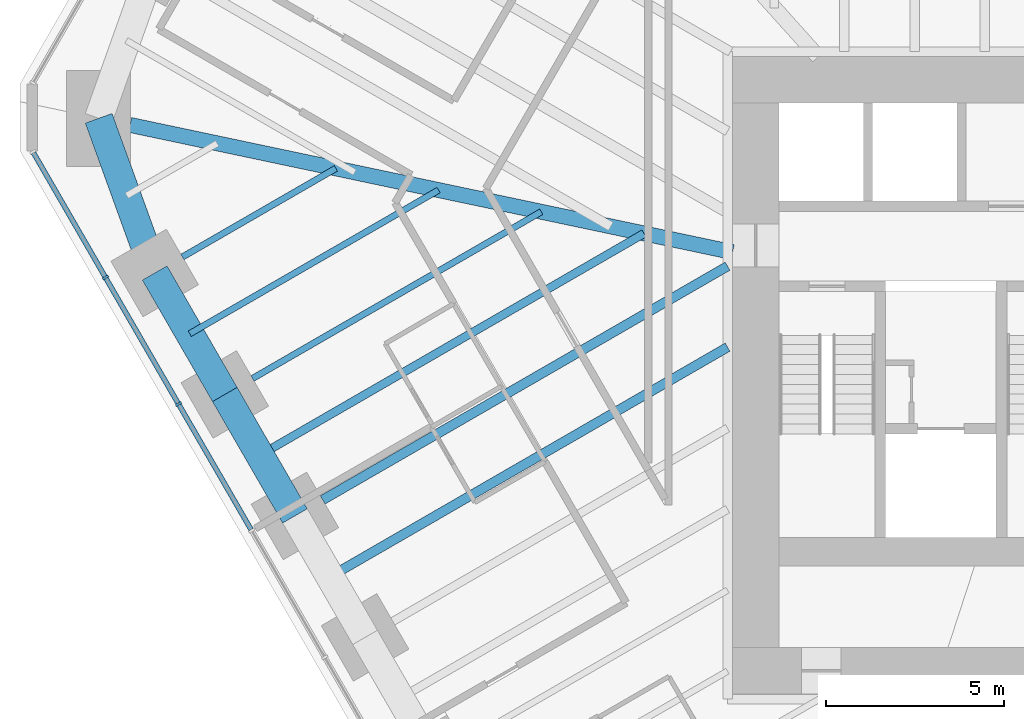
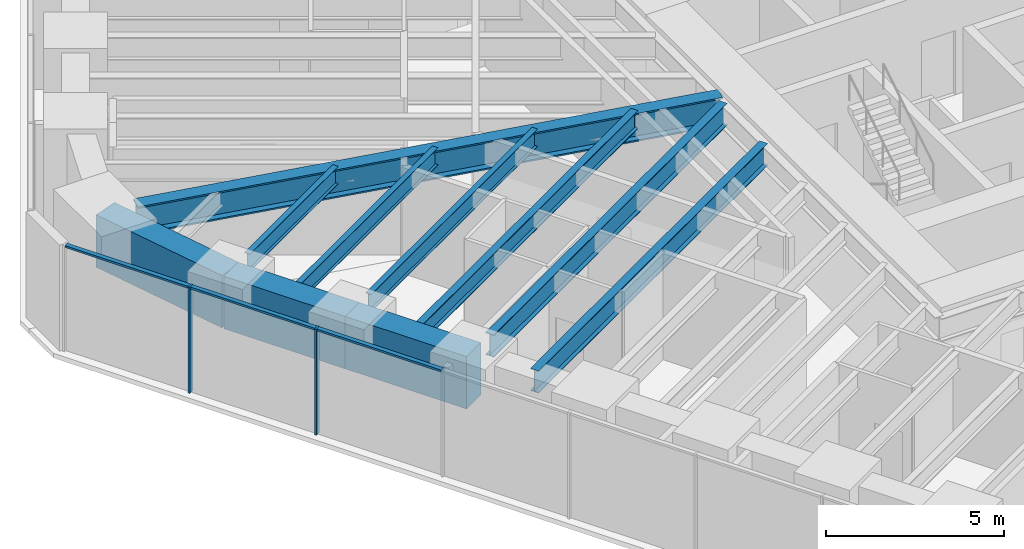
# One storey, part 3 of 17: 10 beams, 5 members, 1 element without a shape of its own.
"""IFC4 building model written with IfcOpenShell, lengths in metres."""

from ifc_helpers import new_model, si_unit, direction, frame, origin, origin_2d, place, context, subcontext, project, spatial, rectangle, i_section, extrude, material, material_profile, profile_set, type_object, element, aggregate, save


model = new_model("IFC4")

# Units and contexts
model_context = context("Model", 3, precision=1e-05, world=origin(), true_north=direction((0.0, 1.0)))
body_context = subcontext(model_context, "Body", "Model", "MODEL_VIEW")
ifc_project = project(units=[si_unit("LENGTHUNIT", "METRE"), si_unit("AREAUNIT", "SQUARE_METRE"), si_unit("VOLUMEUNIT", "CUBIC_METRE"), si_unit("PLANEANGLEUNIT", "RADIAN"), si_unit("MASSUNIT", "GRAM", prefix="KILO")], contexts=[model_context])

# Site, building, storey
site_placement = place(None, origin())
site = spatial("IfcSite", under=ifc_project, at=site_placement, CompositionType="ELEMENT")
building_placement = place(site_placement, origin())
building = spatial("IfcBuilding", under=site, at=building_placement, Name="Sandreach Pilgrim Tower", CompositionType="ELEMENT")
storey_placement = place(building_placement, frame((0.0, 0.0, 119.60009765625)))
storey = spatial("IfcBuildingStorey", under=building, at=storey_placement, Name="L29", CompositionType="ELEMENT", Elevation=119.60009765625)

# Curtain wall, members
ifc_material_1 = material(Name="Aluminium framed curtain wall", Category="aluminium")
curtain_wall_type = type_object("IfcCurtainWallType", Name="Hotel tower curtain wall", PredefinedType="NOTDEFINED", material=ifc_material_1)
curtain_wall_placement = place(storey_placement, origin())
curtain_wall = element("IfcCurtainWall", 1, at=curtain_wall_placement, inside=storey, type_object=curtain_wall_type, Name="CW-2 L29 SW", PredefinedType="NOTDEFINED")
ifc_material_2 = material(Name="Aluminium extrusion", Category="aluminium")
ifc_material_profile_1 = material_profile(ifc_material_2, rectangle(XDim=0.06494140625, YDim=0.179931640625, at=origin_2d()), Name="CW-2M 65X180")
ifc_profile_set_1 = profile_set([ifc_material_profile_1], Name="Aluminium extrusion")
member_type_1 = type_object("IfcMemberType", Name="CW-2 mullion", PredefinedType="MULLION", material=ifc_profile_set_1)
member_1_placement = place(storey_placement, frame((-24.614013671875, -2.35498046875, 0.0), z_axis=(0.0, 0.0, 1.0), x_axis=(-0.5, 0.866025403784, 0.0)))
member_1 = element("IfcMember", 2, at=member_1_placement, type_object=member_type_1, Name="CW-2 mullion 8", PredefinedType="MULLION", context=body_context, shape_type="SweptSolid", body=[
    extrude(rectangle(XDim=0.06494140625, YDim=0.179931640625, at=origin_2d()), origin(), (0.0, 0.0, 1.0), 3.639892578125),
])
member_2_placement = place(storey_placement, frame((-26.66748046875, 1.20166015625, 0.0), z_axis=(0.0, 0.0, 1.0), x_axis=(-0.5, 0.866025403784, 0.0)))
member_2 = element("IfcMember", 3, at=member_2_placement, type_object=member_type_1, Name="CW-2 mullion 9", PredefinedType="MULLION", context=body_context, shape_type="SweptSolid", body=[
    extrude(rectangle(XDim=0.06494140625, YDim=0.179931640625, at=origin_2d()), origin(), (0.0, 0.0, 1.0), 3.639892578125),
])
ifc_material_3 = material(Name="Aluminium extrusion", Category="aluminium")
ifc_material_profile_2 = material_profile(ifc_material_3, rectangle(XDim=0.139892578125, YDim=0.070068359375, at=origin_2d()), Name="CW-2T 140X70")
ifc_profile_set_2 = profile_set([ifc_material_profile_2], Name="Aluminium extrusion")
member_type_2 = type_object("IfcMemberType", Name="CW-2 transom", PredefinedType="USERDEFINED", material=ifc_profile_set_2)
member_3_placement = place(storey_placement, frame((-22.57666015625, -5.883544921875, 3.60498046875), z_axis=(-0.500023973715, 0.866011562111, 0.0), x_axis=(-0.866011562111, -0.500023973715, 0.0)))
member_3 = element("IfcMember", 4, at=member_3_placement, type_object=member_type_2, Name="CW-2 head transom 7", ObjectType="TRANSOM", PredefinedType="USERDEFINED", context=body_context, shape_type="SweptSolid", body=[
    extrude(rectangle(XDim=0.139892578125, YDim=0.070068359375, at=origin_2d()), origin(), (0.0, 0.0, 1.0), 4.041748046875),
])
member_4_placement = place(storey_placement, frame((-24.630126953125, -2.326904296875, 3.60498046875), z_axis=(-0.499997818338, 0.866026663364, 0.0), x_axis=(-0.866026663364, -0.499997818338, 0.0)))
member_4 = element("IfcMember", 5, at=member_4_placement, type_object=member_type_2, Name="CW-2 head transom 8", ObjectType="TRANSOM", PredefinedType="USERDEFINED", context=body_context, shape_type="SweptSolid", body=[
    extrude(rectangle(XDim=0.139892578125, YDim=0.070068359375, at=origin_2d()), origin(), (0.0, 0.0, 1.0), 4.0419921875),
])
member_5_placement = place(storey_placement, frame((-26.68359375, 1.229736328125, 3.60498046875), z_axis=(-0.500015851672, 0.866016251624, 0.0), x_axis=(-0.866016251624, -0.500015851672, 0.0)))
member_5 = element("IfcMember", 6, at=member_5_placement, type_object=member_type_2, Name="CW-2 head transom 9", ObjectType="TRANSOM", PredefinedType="USERDEFINED", context=body_context, shape_type="SweptSolid", body=[
    extrude(rectangle(XDim=0.139892578125, YDim=0.070068359375, at=origin_2d()), origin(), (0.0, 0.0, 1.0), 4.009521484375),
])
aggregate(curtain_wall, [member_1, member_2, member_3, member_4, member_5])

# Beams
ifc_material_4 = material(Name="Steel ASTM A992 Grade 50", Category="steel")
ifc_material_profile_3 = material_profile(ifc_material_4, i_section(OverallWidth=0.424072265625, OverallDepth=0.965087890625, WebThickness=0.028564453125, FlangeThickness=0.051025390625, at=origin_2d()), Name="W36X361")
ifc_profile_set_3 = profile_set([ifc_material_profile_3], Name="Steel ASTM A992 Grade 50")
beam_type_1 = type_object("IfcBeamType", Name="Corner girder W36X361", PredefinedType="BEAM", material=ifc_profile_set_3)
beam_1_placement = place(storey_placement, frame((-25.976806640625, 5.484619140625, 3.1572265625), z_axis=(0.978427882284, -0.206588671447, 0.0), x_axis=(0.206588671447, 0.978427882284, 0.0)))
element("IfcBeam", 7, at=beam_1_placement, inside=storey, type_object=beam_type_1, Name="BM L29 CG35", PredefinedType="BEAM", context=body_context, shape_type="SweptSolid", body=[
    extrude(i_section(OverallWidth=0.424072265625, OverallDepth=0.965087890625, WebThickness=0.028564453125, FlangeThickness=0.051025390625, at=origin_2d()), origin(), (0.0, 0.0, 1.0), 17.300048828125),
])
ifc_material_5 = material(Name="Steel ASTM A992 Grade 50", Category="steel")
ifc_material_profile_4 = material_profile(ifc_material_5, i_section(OverallWidth=0.1787109375, OverallDepth=0.60205078125, WebThickness=0.010986328125, FlangeThickness=0.014892578125, at=origin_2d()), Name="W24X62")
ifc_profile_set_4 = profile_set([ifc_material_profile_4], Name="Steel ASTM A992 Grade 50")
beam_type_2 = type_object("IfcBeamType", Name="Floor beam W24X62", PredefinedType="BEAM", material=ifc_profile_set_4)
beam_2_placement = place(storey_placement, frame((-22.534423828125, -1.63671875, 3.3388671875), z_axis=(0.866012351917, 0.500022605817, 0.0), x_axis=(-0.500022605817, 0.866012351917, 0.0)))
element("IfcBeam", 8, at=beam_2_placement, inside=storey, type_object=beam_type_2, Name="BM L29 F33", PredefinedType="BEAM", context=body_context, shape_type="SweptSolid", body=[
    extrude(i_section(OverallWidth=0.1787109375, OverallDepth=0.60205078125, WebThickness=0.010986328125, FlangeThickness=0.014892578125, at=origin_2d()), origin(), (0.0, 0.0, 1.0), 9.3642578125),
])
beam_3_placement = place(storey_placement, frame((-24.50439453125, 1.775390625, 3.3388671875), z_axis=(0.866024645457, 0.500001313459, 0.0), x_axis=(-0.500001313459, 0.866024645457, 0.0)))
element("IfcBeam", 9, at=beam_3_placement, inside=storey, type_object=beam_type_2, Name="BM L29 F34", PredefinedType="BEAM", context=body_context, shape_type="SweptSolid", body=[
    extrude(i_section(OverallWidth=0.1787109375, OverallDepth=0.60205078125, WebThickness=0.010986328125, FlangeThickness=0.014892578125, at=origin_2d()), origin(), (0.0, 0.0, 1.0), 4.9765625),
])
beam_4_placement = place(storey_placement, frame((-24.298828125, -0.380615234375, 3.3388671875), z_axis=(0.866022864518, 0.500004398112, 0.0), x_axis=(-0.500004398112, 0.866022864518, 0.0)))
element("IfcBeam", 10, at=beam_4_placement, inside=storey, type_object=beam_type_2, Name="BM L29 FM33", PredefinedType="BEAM", context=body_context, shape_type="SweptSolid", body=[
    extrude(i_section(OverallWidth=0.1787109375, OverallDepth=0.60205078125, WebThickness=0.010986328125, FlangeThickness=0.014892578125, at=origin_2d()), origin(), (0.0, 0.0, 1.0), 8.0703125),
])
ifc_material_6 = material(Name="Steel ASTM A992 Grade 50", Category="steel")
ifc_material_profile_5 = material_profile(ifc_material_6, i_section(OverallWidth=0.23046875, OverallDepth=0.6171875, WebThickness=0.01318359375, FlangeThickness=0.022216796875, at=origin_2d()), Name="W24X94")
ifc_profile_set_5 = profile_set([ifc_material_profile_5], Name="Steel ASTM A992 Grade 50")
beam_type_3 = type_object("IfcBeamType", Name="Floor beam W24X94", PredefinedType="BEAM", material=ifc_profile_set_5)
beam_5_placement = place(storey_placement, frame((-22.328857421875, -3.792724609375, 3.331298828125), z_axis=(0.866019150617, 0.500010830648, 0.0), x_axis=(-0.500010830648, 0.866019150617, 0.0)))
element("IfcBeam", 11, at=beam_5_placement, inside=storey, type_object=beam_type_3, Name="BM L29 FM32", PredefinedType="BEAM", context=body_context, shape_type="SweptSolid", body=[
    extrude(i_section(OverallWidth=0.23046875, OverallDepth=0.6171875, WebThickness=0.01318359375, FlangeThickness=0.022216796875, at=origin_2d()), origin(), (0.0, 0.0, 1.0), 12.458251953125),
])
ifc_material_7 = material(Name="Steel ASTM A992 Grade 50", Category="steel")
ifc_material_profile_6 = material_profile(ifc_material_7, i_section(OverallWidth=0.2666015625, OverallDepth=0.761962890625, WebThickness=0.014404296875, FlangeThickness=0.021484375, at=origin_2d()), Name="W30X116")
ifc_profile_set_6 = profile_set([ifc_material_profile_6], Name="Steel ASTM A992 Grade 50")
beam_type_4 = type_object("IfcBeamType", Name="Floor beam W30X116", PredefinedType="BEAM", material=ifc_profile_set_6)
beam_6_placement = place(storey_placement, frame((-20.564453125, -5.048828125, 3.2587890625), z_axis=(0.866022715736, 0.500004655807, 0.0), x_axis=(-0.500004655807, 0.866022715736, 0.0)))
element("IfcBeam", 12, at=beam_6_placement, inside=storey, type_object=beam_type_4, Name="BM L29 F32", PredefinedType="BEAM", context=body_context, shape_type="SweptSolid", body=[
    extrude(i_section(OverallWidth=0.2666015625, OverallDepth=0.761962890625, WebThickness=0.014404296875, FlangeThickness=0.021484375, at=origin_2d()), origin(), (0.0, 0.0, 1.0), 13.130126953125),
])
beam_7_placement = place(storey_placement, frame((-20.35888671875, -7.204833984375, 3.2587890625), z_axis=(0.866021609098, 0.500006572533, 0.0), x_axis=(-0.500006572533, 0.866021609098, 0.0)))
element("IfcBeam", 13, at=beam_7_placement, inside=storey, type_object=beam_type_4, Name="BM L29 FM31", PredefinedType="BEAM", context=body_context, shape_type="SweptSolid", body=[
    extrude(i_section(OverallWidth=0.2666015625, OverallDepth=0.761962890625, WebThickness=0.014404296875, FlangeThickness=0.021484375, at=origin_2d()), origin(), (0.0, 0.0, 1.0), 12.892822265625),
])
ifc_material_8 = material(Name="Concrete 10000 psi", Category="concrete")
ifc_material_profile_7 = material_profile(ifc_material_8, rectangle(XDim=0.800048828125, YDim=1.800048828125, at=origin_2d()), Name="RC800X1800")
ifc_profile_set_7 = profile_set([ifc_material_profile_7], Name="Concrete 10000 psi")
beam_type_5 = type_object("IfcBeamType", Name="Spandrel beam RC800X1800", PredefinedType="SPANDREL", material=ifc_profile_set_7)
for number, where, z_axis, x_axis, name in (
    (14, (-21.343994140625, -5.498779296875, 2.739990234375), (-0.49999779889, 0.866026674592, 0.0), (-0.866026674592, -0.49999779889, 0.0), "BM L29 SP32"),
    (15, (-23.31396484375, -2.086669921875, 2.739990234375), (-0.49999779889, 0.866026674592, 0.0), (-0.866026674592, -0.49999779889, 0.0), "BM L29 SP33"),
):
    element("IfcBeam", number, at=place(storey_placement, frame(where, z_axis=z_axis, x_axis=x_axis)), inside=storey, type_object=beam_type_5, Name=name, PredefinedType="SPANDREL", context=body_context, shape_type="SweptSolid", body=[
        extrude(rectangle(XDim=0.800048828125, YDim=1.800048828125, at=origin_2d()), origin(), (0.0, 0.0, 1.0), 3.93994140625),
    ])
beam_8_placement = place(storey_placement, frame((-25.283935546875, 1.325439453125, 2.739990234375), z_axis=(-0.340453163563, 0.940261476091, 0.0), x_axis=(-0.940261476091, -0.340453163563, 0.0)))
element("IfcBeam", 16, at=beam_8_placement, inside=storey, type_object=beam_type_5, Name="BM L29 SP34", PredefinedType="SPANDREL", context=body_context, shape_type="SweptSolid", body=[
    extrude(rectangle(XDim=0.800048828125, YDim=1.800048828125, at=origin_2d()), origin(), (0.0, 0.0, 1.0), 4.62109375),
])

save(model, "model.ifc")
